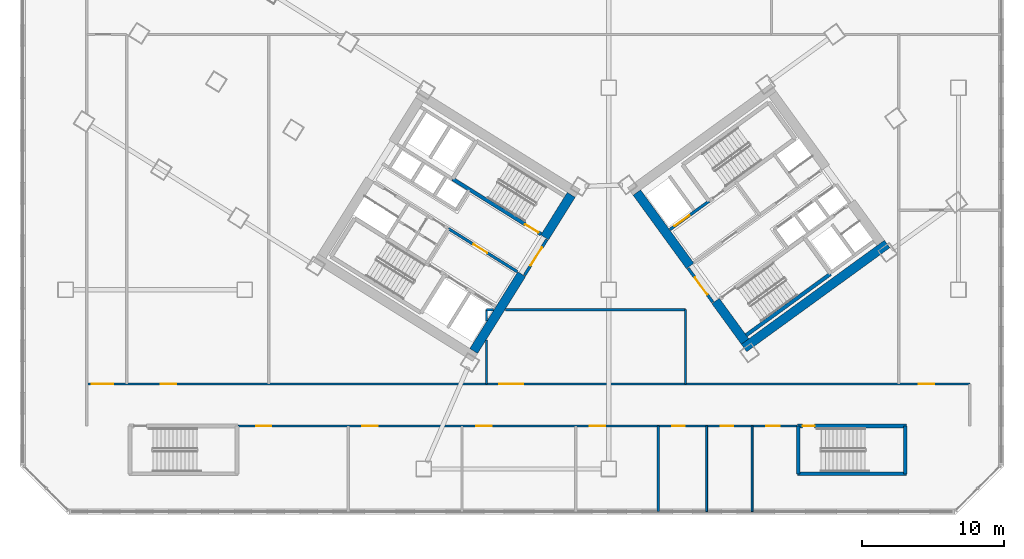
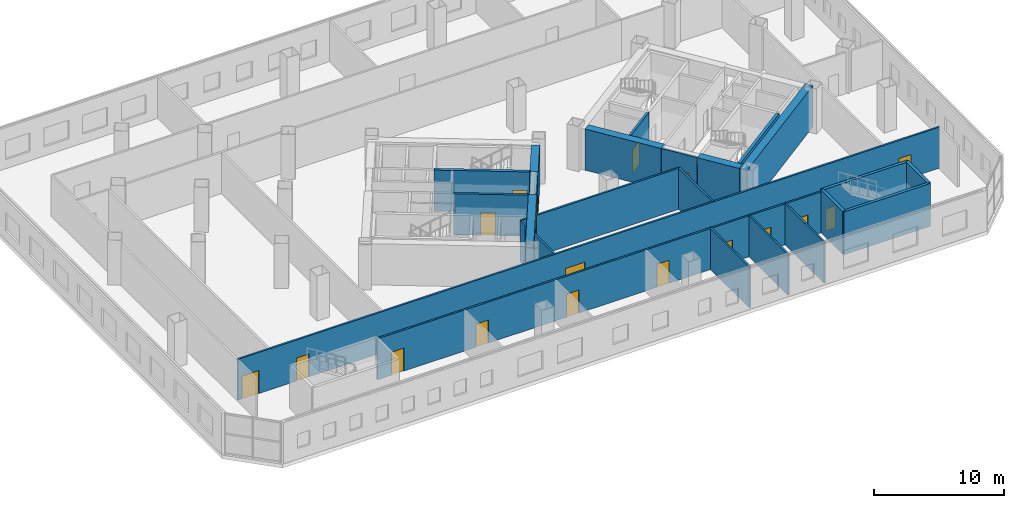
# One storey, part 12 of 22: 25 walls, 17 doors, 17 openings.
"""IFC4 building model written with IfcOpenShell, lengths in metres."""

from ifc_helpers import new_model, si_unit, direction, frame, frame_2d, origin, place, context, subcontext, project, spatial, rectangle, extrude, source, transform, mapped, material, layer, layer_set, type_object, element, fill, save


model = new_model("IFC4")

# Units and contexts
model_context = context("Model", 3, precision=1e-05, world=origin(), true_north=direction((0.0, 1.0)))
body_context = subcontext(model_context, "Body", "Model", "MODEL_VIEW")
ifc_project = project(units=[si_unit("LENGTHUNIT", "METRE"), si_unit("AREAUNIT", "SQUARE_METRE"), si_unit("VOLUMEUNIT", "CUBIC_METRE"), si_unit("PLANEANGLEUNIT", "RADIAN"), si_unit("MASSUNIT", "GRAM", prefix="KILO")], contexts=[model_context])

# Site, building, storey
site_placement = place(None, origin())
site = spatial("IfcSite", under=ifc_project, at=site_placement, CompositionType="ELEMENT")
building_placement = place(site_placement, origin())
building = spatial("IfcBuilding", under=site, at=building_placement, Name="Tlacorven Tower", CompositionType="ELEMENT")
storey_placement = place(building_placement, frame((0.0, 0.0, 10.199951171875)))
storey = spatial("IfcBuildingStorey", under=building, at=storey_placement, Name="L02", CompositionType="ELEMENT", Elevation=10.199951171875)

# Walls
ifc_material_1 = material(Name="Concrete C60/75", Category="concrete")
ifc_layer_1 = layer(ifc_material_1, 0.64990234375)
ifc_layer_set_1 = layer_set([ifc_layer_1], Name="Concrete C60/75")
wall_type_1 = type_object("IfcWallType", Name="WL-COR-650", PredefinedType="SHEAR", material=ifc_layer_set_1)
wall_1_placement = place(storey_placement, frame((40.167724609375, 23.880126953125, 0.0), z_axis=(0.0, 0.0, 1.0), x_axis=(-0.529893103397, -0.8480644427, 0.0)))
element("IfcWall", 1, at=wall_1_placement, inside=storey, type_object=wall_type_1, Name="L02 W core end wall E1.1", PredefinedType="SHEAR", context=body_context, shape_type="SweptSolid", body=[
    extrude(rectangle(XDim=3.525146484375, YDim=0.64990234375, at=frame_2d((1.7626953125, 0.0))), origin(), (0.0, 0.0, 1.0), 3.85009765625),
])
wall_2_placement = place(storey_placement, frame((36.683349609375, 18.30419921875, 0.0), z_axis=(0.0, 0.0, 1.0), x_axis=(-0.529899109053, -0.848060690178, 0.0)))
element("IfcWall", 2, at=wall_2_placement, inside=storey, type_object=wall_type_1, Name="L02 W core end wall E1.2", PredefinedType="SHEAR", context=body_context, shape_type="SweptSolid", body=[
    extrude(rectangle(XDim=6.375244140625, YDim=0.64990234375, at=frame_2d((3.1875, 0.0))), origin(), (0.0, 0.0, 1.0), 3.85009765625),
])
wall_3_placement = place(storey_placement, frame((52.318359375, 13.1103515625, 0.0), z_axis=(0.0, 0.0, 1.0), x_axis=(0.809019445368, 0.587781878776, 0.0)))
element("IfcWall", 3, at=wall_3_placement, inside=storey, type_object=wall_type_1, Name="L02 E core shear wall S1", PredefinedType="SHEAR", context=body_context, shape_type="SweptSolid", body=[
    extrude(rectangle(XDim=12.43994140625, YDim=0.64990234375, at=frame_2d((6.219970703125, 0.0))), origin(), (0.0, 0.0, 1.0), 3.85009765625),
])
wall_4_placement = place(storey_placement, frame((52.390380859375, 13.564208984375, 0.0), z_axis=(0.0, 0.0, 1.0), x_axis=(-0.58779688989, 0.809008539037, 0.0)))
element("IfcWall", 4, at=wall_4_placement, inside=storey, type_object=wall_type_1, Name="L02 E core end wall E1.1", PredefinedType="SHEAR", context=body_context, shape_type="SweptSolid", body=[
    extrude(rectangle(XDim=3.525146484375, YDim=0.64990234375, at=frame_2d((1.7626953125, 0.0))), origin(), (0.0, 0.0, 1.0), 3.85009765625),
])
wall_5_placement = place(storey_placement, frame((48.525634765625, 18.883544921875, 0.0), z_axis=(0.0, 0.0, 1.0), x_axis=(-0.58777996584, 0.809020835181, 0.0)))
element("IfcWall", 5, at=wall_5_placement, inside=storey, type_object=wall_type_1, Name="L02 E core end wall E1.2", PredefinedType="SHEAR", context=body_context, shape_type="SweptSolid", body=[
    extrude(rectangle(XDim=6.375, YDim=0.64990234375, at=frame_2d((3.1875, 0.0))), origin(), (0.0, 0.0, 1.0), 3.85009765625),
])

# Wall, openings, doors
ifc_material_2 = material(Name="Gypsum plasterboard acoustic partition", Category="gypsum")
ifc_layer_2 = layer(ifc_material_2, 0.159912109375)
ifc_layer_set_2 = layer_set([ifc_layer_2], Name="Gypsum plasterboard acoustic partition")
wall_type_2 = type_object("IfcWallType", Name="WL-DEM-160", PredefinedType="PARTITIONING", material=ifc_layer_set_2)
wall_6_placement = place(storey_placement, frame((6.10009765625, 10.580078125, 0.0), z_axis=(0.0, 0.0, 1.0), x_axis=(1.0, 0.0, 0.0)))
wall_6 = element("IfcWall", 6, at=wall_6_placement, inside=storey, type_object=wall_type_2, Name="L02 partition 64", PredefinedType="PARTITIONING", context=body_context, shape_type="SweptSolid", body=[
    extrude(rectangle(XDim=62.099853515625, YDim=0.159912109375, at=frame_2d((31.0498046875, 0.0))), origin(), (0.0, 0.0, 1.0), 3.840087890625),
])
opening_1_placement = place(wall_6_placement, frame((29.0, 0.0, 0.0)))
opening_1 = element("IfcOpeningElement", 7, at=opening_1_placement, cuts=wall_6, Name="Opening D17", PredefinedType="OPENING", context=body_context, shape_type="SweptSolid", body=[
    extrude(rectangle(XDim=1.699951171875, YDim=2.199951171875, at=frame_2d((0.85009765625, 1.10009765625))), frame((0.0, 0.08984375, 0.0), z_axis=(0.0, -1.0, 0.0), x_axis=(1.0, 0.0, 0.0)), (0.0, 0.0, 1.0), 0.179931640625),
])
opening_2_placement = place(wall_6_placement, frame((0.35009765625, 0.0, 0.0)))
opening_2 = element("IfcOpeningElement", 8, at=opening_2_placement, cuts=wall_6, Name="Opening D10", PredefinedType="OPENING", context=body_context, shape_type="SweptSolid", body=[
    extrude(rectangle(XDim=1.5, YDim=2.14990234375, at=frame_2d((0.75, 1.074951171875))), frame((0.0, 0.08984375, 0.0), z_axis=(0.0, -1.0, 0.0), x_axis=(1.0, 0.0, 0.0)), (0.0, 0.0, 1.0), 0.179931640625),
])
opening_3_placement = place(wall_6_placement, frame((5.199951171875, 0.0, 0.0)))
opening_3 = element("IfcOpeningElement", 9, at=opening_3_placement, cuts=wall_6, Name="Opening D15", PredefinedType="OPENING", context=body_context, shape_type="SweptSolid", body=[
    extrude(rectangle(XDim=1.080078125, YDim=2.14990234375, at=frame_2d((0.5400390625, 1.074951171875))), frame((0.0, 0.08984375, 0.0), z_axis=(0.0, -1.0, 0.0), x_axis=(1.0, 0.0, 0.0)), (0.0, 0.0, 1.0), 0.179931640625),
])
opening_4_placement = place(wall_6_placement, frame((58.5, 0.0, 0.0)))
opening_4 = element("IfcOpeningElement", 10, at=opening_4_placement, cuts=wall_6, Name="Opening D15", PredefinedType="OPENING", context=body_context, shape_type="SweptSolid", body=[
    extrude(rectangle(XDim=1.080078125, YDim=2.14990234375, at=frame_2d((0.5400390625, 1.074951171875))), frame((0.0, 0.08984375, 0.0), z_axis=(0.0, -1.0, 0.0), x_axis=(1.0, 0.0, 0.0)), (0.0, 0.0, 1.0), 0.179931640625),
])
ifc_material_3 = material(Name="Fire-rated steel door assembly", Category="steel")
door_type_1 = type_object("IfcDoorType", Name="DR-LOB-FD60-1500", OperationType="DOUBLE_DOOR_SINGLE_SWING", PredefinedType="DOOR", material=ifc_material_3)
shared_shape_1 = source(origin(), body_context, "Body", "SweptSolid", [
    extrude(rectangle(XDim=1.5, YDim=2.14990234375, at=frame_2d((0.75, 1.074951171875))), frame((0.0, 0.02490234375, 0.0), z_axis=(0.0, -1.0, 0.0), x_axis=(1.0, 0.0, 0.0)), (0.0, 0.0, 1.0), 0.050048828125),
])
door_1_placement = place(opening_2_placement, origin())
door_1 = element("IfcDoor", 11, at=door_1_placement, inside=storey, type_object=door_type_1, Name="L02 door 033", OperationType="DOUBLE_DOOR_SINGLE_SWING", OverallHeight=2.14990234375, OverallWidth=1.5, PredefinedType="DOOR", context=body_context, shape_type="MappedRepresentation", body=[
    mapped(shared_shape_1, transform((0.0, 0.0, 0.0), scale=1.0)),
])
fill(opening_2, door_1)
door_type_2 = type_object("IfcDoorType", Name="DR-COM-HALL-1700", OperationType="DOUBLE_DOOR_SINGLE_SWING", PredefinedType="DOOR", material=ifc_material_3)
shared_shape_2 = source(origin(), body_context, "Body", "SweptSolid", [
    extrude(rectangle(XDim=1.699951171875, YDim=2.199951171875, at=frame_2d((0.85009765625, 1.10009765625))), frame((0.0, 0.02490234375, 0.0), z_axis=(0.0, -1.0, 0.0), x_axis=(1.0, 0.0, 0.0)), (0.0, 0.0, 1.0), 0.050048828125),
])
door_2_placement = place(opening_1_placement, origin())
door_2 = element("IfcDoor", 12, at=door_2_placement, inside=storey, type_object=door_type_2, Name="L02 door 023", OperationType="DOUBLE_DOOR_SINGLE_SWING", OverallHeight=2.199951171875, OverallWidth=1.699951171875, PredefinedType="DOOR", context=body_context, shape_type="MappedRepresentation", body=[
    mapped(shared_shape_2, transform((0.0, 0.0, 0.0), scale=1.0)),
])
fill(opening_1, door_2)
door_type_3 = type_object("IfcDoorType", Name="DR-CLN-CONS-1080", OperationType="NOTDEFINED", PredefinedType="DOOR", material=ifc_material_3)
shared_shape_3 = source(origin(), body_context, "Body", "SweptSolid", [
    extrude(rectangle(XDim=1.080078125, YDim=2.14990234375, at=frame_2d((0.5400390625, 1.074951171875))), frame((0.0, 0.02490234375, 0.0), z_axis=(0.0, -1.0, 0.0), x_axis=(1.0, 0.0, 0.0)), (0.0, 0.0, 1.0), 0.050048828125),
])
door_3_placement = place(opening_3_placement, origin())
door_3 = element("IfcDoor", 13, at=door_3_placement, inside=storey, type_object=door_type_3, Name="L02 door 039", OperationType="SINGLE_SWING_RIGHT", OverallHeight=2.14990234375, OverallWidth=1.080078125, PredefinedType="DOOR", context=body_context, shape_type="MappedRepresentation", body=[
    mapped(shared_shape_3, transform((0.0, 0.0, 0.0), scale=1.0)),
])
fill(opening_3, door_3)
door_4_placement = place(opening_4_placement, origin())
door_4 = element("IfcDoor", 14, at=door_4_placement, inside=storey, type_object=door_type_3, Name="L02 door 040", OperationType="SINGLE_SWING_LEFT", OverallHeight=2.14990234375, OverallWidth=1.080078125, PredefinedType="DOOR", context=body_context, shape_type="MappedRepresentation", body=[
    mapped(shared_shape_3, transform((0.0, 0.0, 0.0), scale=1.0)),
])
fill(opening_4, door_4)

wall_7_placement = place(storey_placement, frame((16.739990234375, 7.6201171875, 0.0), z_axis=(0.0, 0.0, 1.0), x_axis=(1.0, 0.0, 0.0)))
wall_7 = element("IfcWall", 15, at=wall_7_placement, inside=storey, type_object=wall_type_2, Name="L02 partition 65", PredefinedType="PARTITIONING", context=body_context, shape_type="SweptSolid", body=[
    extrude(rectangle(XDim=39.320068359375, YDim=0.159912109375, at=frame_2d((19.66015625, 0.0))), origin(), (0.0, 0.0, 1.0), 3.840087890625),
])
opening_5_placement = place(wall_7_placement, frame((1.260009765625, 0.0, 0.0)))
opening_5 = element("IfcOpeningElement", 16, at=opening_5_placement, cuts=wall_7, Name="Opening D15", PredefinedType="OPENING", context=body_context, shape_type="SweptSolid", body=[
    extrude(rectangle(XDim=1.080078125, YDim=2.14990234375, at=frame_2d((0.5400390625, 1.074951171875))), frame((0.0, 0.08984375, 0.0), z_axis=(0.0, -1.0, 0.0), x_axis=(1.0, 0.0, 0.0)), (0.0, 0.0, 1.0), 0.179931640625),
])
opening_6_placement = place(wall_7_placement, frame((8.739990234375, 0.0, 0.0)))
opening_6 = element("IfcOpeningElement", 17, at=opening_6_placement, cuts=wall_7, Name="Opening D15", PredefinedType="OPENING", context=body_context, shape_type="SweptSolid", body=[
    extrude(rectangle(XDim=1.080078125, YDim=2.14990234375, at=frame_2d((0.5400390625, 1.074951171875))), frame((0.0, 0.08984375, 0.0), z_axis=(0.0, -1.0, 0.0), x_axis=(1.0, 0.0, 0.0)), (0.0, 0.0, 1.0), 0.179931640625),
])
opening_7_placement = place(wall_7_placement, frame((16.739990234375, 0.0, 0.0)))
opening_7 = element("IfcOpeningElement", 18, at=opening_7_placement, cuts=wall_7, Name="Opening D15", PredefinedType="OPENING", context=body_context, shape_type="SweptSolid", body=[
    extrude(rectangle(XDim=1.080078125, YDim=2.14990234375, at=frame_2d((0.5400390625, 1.074951171875))), frame((0.0, 0.08984375, 0.0), z_axis=(0.0, -1.0, 0.0), x_axis=(1.0, 0.0, 0.0)), (0.0, 0.0, 1.0), 0.179931640625),
])
opening_8_placement = place(wall_7_placement, frame((24.739990234375, 0.0, 0.0)))
opening_8 = element("IfcOpeningElement", 19, at=opening_8_placement, cuts=wall_7, Name="Opening D15", PredefinedType="OPENING", context=body_context, shape_type="SweptSolid", body=[
    extrude(rectangle(XDim=1.080078125, YDim=2.14990234375, at=frame_2d((0.5400390625, 1.074951171875))), frame((0.0, 0.08984375, 0.0), z_axis=(0.0, -1.0, 0.0), x_axis=(1.0, 0.0, 0.0)), (0.0, 0.0, 1.0), 0.179931640625),
])
opening_9_placement = place(wall_7_placement, frame((30.5400390625, 0.0, 0.0)))
opening_9 = element("IfcOpeningElement", 20, at=opening_9_placement, cuts=wall_7, Name="Opening D13", PredefinedType="OPENING", context=body_context, shape_type="SweptSolid", body=[
    extrude(rectangle(XDim=0.8798828125, YDim=2.080078125, at=frame_2d((0.43994140625, 1.0400390625))), frame((0.0, 0.08984375, 0.0), z_axis=(0.0, -1.0, 0.0), x_axis=(1.0, 0.0, 0.0)), (0.0, 0.0, 1.0), 0.179931640625),
])
opening_10_placement = place(wall_7_placement, frame((33.93994140625, 0.0, 0.0)))
opening_10 = element("IfcOpeningElement", 21, at=opening_10_placement, cuts=wall_7, Name="Opening D13", PredefinedType="OPENING", context=body_context, shape_type="SweptSolid", body=[
    extrude(rectangle(XDim=0.8798828125, YDim=2.080078125, at=frame_2d((0.43994140625, 1.0400390625))), frame((0.0, 0.08984375, 0.0), z_axis=(0.0, -1.0, 0.0), x_axis=(1.0, 0.0, 0.0)), (0.0, 0.0, 1.0), 0.179931640625),
])
opening_11_placement = place(wall_7_placement, frame((37.139892578125, 0.0, 0.0)))
opening_11 = element("IfcOpeningElement", 22, at=opening_11_placement, cuts=wall_7, Name="Opening D14", PredefinedType="OPENING", context=body_context, shape_type="SweptSolid", body=[
    extrude(rectangle(XDim=0.9599609375, YDim=2.080078125, at=frame_2d((0.47998046875, 1.0400390625))), frame((0.0, 0.08984375, 0.0), z_axis=(0.0, -1.0, 0.0), x_axis=(1.0, 0.0, 0.0)), (0.0, 0.0, 1.0), 0.179931640625),
])
ifc_material_4 = material(Name="Powder-coated aluminium and timber door", Category="wood")
door_type_4 = type_object("IfcDoorType", Name="DR-INT-WET-0880", OperationType="NOTDEFINED", PredefinedType="DOOR", material=ifc_material_4)
shared_shape_4 = source(origin(), body_context, "Body", "SweptSolid", [
    extrude(rectangle(XDim=0.8798828125, YDim=2.080078125, at=frame_2d((0.43994140625, 1.0400390625))), frame((0.0, 0.02490234375, 0.0), z_axis=(0.0, -1.0, 0.0), x_axis=(1.0, 0.0, 0.0)), (0.0, 0.0, 1.0), 0.050048828125),
])
door_5_placement = place(opening_9_placement, frame((0.8798828125, 0.0, 0.0), z_axis=(0.0, 0.0, 1.0), x_axis=(-1.0, 0.0, 0.0)))
door_5 = element("IfcDoor", 23, at=door_5_placement, inside=storey, type_object=door_type_4, Name="L02 door 030", OperationType="SINGLE_SWING_RIGHT", OverallHeight=2.080078125, OverallWidth=0.8798828125, PredefinedType="DOOR", context=body_context, shape_type="MappedRepresentation", body=[
    mapped(shared_shape_4, transform((0.0, 0.0, 0.0), scale=1.0)),
])
fill(opening_9, door_5)
door_6_placement = place(opening_10_placement, frame((0.8798828125, 0.0, 0.0), z_axis=(0.0, 0.0, 1.0), x_axis=(-1.0, 0.0, 0.0)))
door_6 = element("IfcDoor", 24, at=door_6_placement, inside=storey, type_object=door_type_4, Name="L02 door 031", OperationType="SINGLE_SWING_LEFT", OverallHeight=2.080078125, OverallWidth=0.8798828125, PredefinedType="DOOR", context=body_context, shape_type="MappedRepresentation", body=[
    mapped(shared_shape_4, transform((0.0, 0.0, 0.0), scale=1.0)),
])
fill(opening_10, door_6)
door_type_5 = type_object("IfcDoorType", Name="DR-INT-AWC-0960", OperationType="NOTDEFINED", PredefinedType="DOOR", material=ifc_material_4)
shared_shape_5 = source(origin(), body_context, "Body", "SweptSolid", [
    extrude(rectangle(XDim=0.9599609375, YDim=2.080078125, at=frame_2d((0.47998046875, 1.0400390625))), frame((0.0, 0.02490234375, 0.0), z_axis=(0.0, -1.0, 0.0), x_axis=(1.0, 0.0, 0.0)), (0.0, 0.0, 1.0), 0.050048828125),
])
door_7_placement = place(opening_11_placement, frame((0.9599609375, 0.0, 0.0), z_axis=(0.0, 0.0, 1.0), x_axis=(-1.0, 0.0, 0.0)))
door_7 = element("IfcDoor", 25, at=door_7_placement, inside=storey, type_object=door_type_5, Name="L02 door 032", OperationType="SINGLE_SWING_RIGHT", OverallHeight=2.080078125, OverallWidth=0.9599609375, PredefinedType="DOOR", context=body_context, shape_type="MappedRepresentation", body=[
    mapped(shared_shape_5, transform((0.0, 0.0, 0.0), scale=1.0)),
])
fill(opening_11, door_7)
door_8_placement = place(opening_5_placement, frame((1.080078125, 0.0, 0.0), z_axis=(0.0, 0.0, 1.0), x_axis=(-1.0, 0.0, 0.0)))
door_8 = element("IfcDoor", 26, at=door_8_placement, inside=storey, type_object=door_type_3, Name="L02 door 026", OperationType="SINGLE_SWING_RIGHT", OverallHeight=2.14990234375, OverallWidth=1.080078125, PredefinedType="DOOR", context=body_context, shape_type="MappedRepresentation", body=[
    mapped(shared_shape_3, transform((0.0, 0.0, 0.0), scale=1.0)),
])
fill(opening_5, door_8)
door_9_placement = place(opening_6_placement, frame((1.080078125, 0.0, 0.0), z_axis=(0.0, 0.0, 1.0), x_axis=(-1.0, 0.0, 0.0)))
door_9 = element("IfcDoor", 27, at=door_9_placement, inside=storey, type_object=door_type_3, Name="L02 door 027", OperationType="SINGLE_SWING_LEFT", OverallHeight=2.14990234375, OverallWidth=1.080078125, PredefinedType="DOOR", context=body_context, shape_type="MappedRepresentation", body=[
    mapped(shared_shape_3, transform((0.0, 0.0, 0.0), scale=1.0)),
])
fill(opening_6, door_9)
door_10_placement = place(opening_7_placement, frame((1.080078125, 0.0, 0.0), z_axis=(0.0, 0.0, 1.0), x_axis=(-1.0, 0.0, 0.0)))
door_10 = element("IfcDoor", 28, at=door_10_placement, inside=storey, type_object=door_type_3, Name="L02 door 028", OperationType="SINGLE_SWING_RIGHT", OverallHeight=2.14990234375, OverallWidth=1.080078125, PredefinedType="DOOR", context=body_context, shape_type="MappedRepresentation", body=[
    mapped(shared_shape_3, transform((0.0, 0.0, 0.0), scale=1.0)),
])
fill(opening_7, door_10)
door_11_placement = place(opening_8_placement, frame((1.080078125, 0.0, 0.0), z_axis=(0.0, 0.0, 1.0), x_axis=(-1.0, 0.0, 0.0)))
door_11 = element("IfcDoor", 29, at=door_11_placement, inside=storey, type_object=door_type_3, Name="L02 door 029", OperationType="SINGLE_SWING_LEFT", OverallHeight=2.14990234375, OverallWidth=1.080078125, PredefinedType="DOOR", context=body_context, shape_type="MappedRepresentation", body=[
    mapped(shared_shape_3, transform((0.0, 0.0, 0.0), scale=1.0)),
])
fill(opening_8, door_11)

# Walls
wall_8_placement = place(storey_placement, frame((34.199951171875, 10.580078125, 0.0), z_axis=(0.0, 0.0, 1.0), x_axis=(0.0, 1.0, 0.0)))
element("IfcWall", 30, at=wall_8_placement, inside=storey, type_object=wall_type_2, Name="L02 partition 66", PredefinedType="PARTITIONING", context=body_context, shape_type="SweptSolid", body=[
    extrude(rectangle(XDim=3.08544921875, YDim=0.159912109375, at=frame_2d((1.542724609375, 0.0))), origin(), (0.0, 0.0, 1.0), 3.840087890625),
])
wall_9_placement = place(storey_placement, frame((34.199951171875, 14.993896484375, 0.0), z_axis=(0.0, 0.0, 1.0), x_axis=(0.0, 1.0, 0.0)))
element("IfcWall", 31, at=wall_9_placement, inside=storey, type_object=wall_type_2, Name="L02 partition 66", PredefinedType="PARTITIONING", context=body_context, shape_type="SweptSolid", body=[
    extrude(rectangle(XDim=0.80615234375, YDim=0.159912109375, at=frame_2d((0.403076171875, 0.0))), origin(), (0.0, 0.0, 1.0), 3.840087890625),
])
wall_10_placement = place(storey_placement, frame((48.199951171875, 10.580078125, 0.0), z_axis=(0.0, 0.0, 1.0), x_axis=(0.0, 1.0, 0.0)))
element("IfcWall", 32, at=wall_10_placement, inside=storey, type_object=wall_type_2, Name="L02 partition 67", PredefinedType="PARTITIONING", context=body_context, shape_type="SweptSolid", body=[
    extrude(rectangle(XDim=5.219970703125, YDim=0.159912109375, at=frame_2d((2.60986328125, 0.0))), origin(), (0.0, 0.0, 1.0), 3.840087890625),
])
wall_11_placement = place(storey_placement, frame((34.199951171875, 15.800048828125, 0.0), z_axis=(0.0, 0.0, 1.0), x_axis=(1.0, 0.0, 0.0)))
element("IfcWall", 33, at=wall_11_placement, inside=storey, type_object=wall_type_2, Name="L02 partition 68", PredefinedType="PARTITIONING", context=body_context, shape_type="SweptSolid", body=[
    extrude(rectangle(XDim=0.503662109375, YDim=0.159912109375, at=frame_2d((0.251953125, 0.0))), origin(), (0.0, 0.0, 1.0), 3.840087890625),
])
wall_12_placement = place(storey_placement, frame((35.53369140625, 15.800048828125, 0.0), z_axis=(0.0, 0.0, 1.0), x_axis=(1.0, 0.0, 0.0)))
element("IfcWall", 34, at=wall_12_placement, inside=storey, type_object=wall_type_2, Name="L02 partition 68", PredefinedType="PARTITIONING", context=body_context, shape_type="SweptSolid", body=[
    extrude(rectangle(XDim=12.666259765625, YDim=0.159912109375, at=frame_2d((6.3330078125, 0.0))), origin(), (0.0, 0.0, 1.0), 3.840087890625),
])
wall_13_placement = place(storey_placement, frame((46.2900390625, 1.60009765625, 0.0), z_axis=(0.0, 0.0, 1.0), x_axis=(0.0, 1.0, 0.0)))
element("IfcWall", 35, at=wall_13_placement, inside=storey, type_object=wall_type_2, Name="L02 partition 72", PredefinedType="PARTITIONING", context=body_context, shape_type="SweptSolid", body=[
    extrude(rectangle(XDim=6.02001953125, YDim=0.159912109375, at=frame_2d((3.010009765625, 0.0))), origin(), (0.0, 0.0, 1.0), 3.840087890625),
])
ifc_material_5 = material(Name="Moisture-resistant gypsum plumbing wall", Category="gypsum")
ifc_layer_3 = layer(ifc_material_5, 0.139892578125)
ifc_layer_set_3 = layer_set([ifc_layer_3], Name="Moisture-resistant gypsum plumbing wall")
wall_type_3 = type_object("IfcWallType", Name="WL-PLM-140", PredefinedType="PLUMBINGWALL", material=ifc_layer_set_3)
for number, where, z_axis, x_axis, name in (
    (36, (49.68994140625, 1.60009765625, 0.0), (0.0, 0.0, 1.0), (0.0, 1.0, 0.0), "L02 partition 73"),
    (37, (52.889892578125, 1.60009765625, 0.0), (0.0, 0.0, 1.0), (0.0, 1.0, 0.0), "L02 partition 74"),
):
    element("IfcWall", number, at=place(storey_placement, frame(where, z_axis=z_axis, x_axis=x_axis)), inside=storey, type_object=wall_type_3, Name=name, PredefinedType="PLUMBINGWALL", context=body_context, shape_type="SweptSolid", body=[
        extrude(rectangle(XDim=6.02001953125, YDim=0.139892578125, at=frame_2d((3.010009765625, 0.0))), origin(), (0.0, 0.0, 1.0), 3.840087890625),
    ])

# Wall, opening, door
ifc_material_6 = material(Name="Concrete C40/50", Category="concrete")
ifc_layer_4 = layer(ifc_material_6, 0.199951171875)
ifc_layer_set_4 = layer_set([ifc_layer_4], Name="Concrete C40/50")
wall_type_4 = type_object("IfcWallType", Name="WL-SHF-200", PredefinedType="STANDARD", material=ifc_layer_set_4)
wall_14_placement = place(storey_placement, frame((36.374267578125, 18.4736328125, 0.0), z_axis=(0.0, 0.0, 1.0), x_axis=(-0.848051071577, 0.529914502535, 0.0)))
wall_14 = element("IfcWall", 38, at=wall_14_placement, inside=storey, type_object=wall_type_4, Name="L02 Core W Smoke Lobby Wall", PredefinedType="STANDARD", context=body_context, shape_type="SweptSolid", body=[
    extrude(rectangle(XDim=5.718017578125, YDim=0.199951171875, at=frame_2d((2.85888671875, 0.0))), origin(), (0.0, 0.0, 1.0), 3.840087890625),
])
opening_12_placement = place(wall_14_placement, frame((2.498046875, 0.0, 0.0)))
opening_12 = element("IfcOpeningElement", 39, at=opening_12_placement, cuts=wall_14, Name="Opening D09", PredefinedType="OPENING", context=body_context, shape_type="SweptSolid", body=[
    extrude(rectangle(XDim=1.14990234375, YDim=2.10009765625, at=frame_2d((0.574951171875, 1.050048828125))), frame((0.0, 0.10986328125, 0.0), z_axis=(0.0, -1.0, 0.0), x_axis=(1.0, 0.0, 0.0)), (0.0, 0.0, 1.0), 0.219970703125),
])
door_type_6 = type_object("IfcDoorType", Name="DR-FFL-FD60-1150", OperationType="NOTDEFINED", PredefinedType="DOOR", material=ifc_material_3)
shared_shape_6 = source(origin(), body_context, "Body", "SweptSolid", [
    extrude(rectangle(XDim=1.14990234375, YDim=2.10009765625, at=frame_2d((0.574951171875, 1.050048828125))), frame((0.0, 0.02490234375, 0.0), z_axis=(0.0, -1.0, 0.0), x_axis=(1.0, 0.0, 0.0)), (0.0, 0.0, 1.0), 0.050048828125),
])
door_12_placement = place(opening_12_placement, origin())
door_12 = element("IfcDoor", 40, at=door_12_placement, inside=storey, type_object=door_type_6, Name="L02 Firefighting Lobby W Fire Door", OperationType="SINGLE_SWING_RIGHT", OverallHeight=2.10009765625, OverallWidth=1.14990234375, PredefinedType="DOOR", context=body_context, shape_type="MappedRepresentation", body=[
    mapped(shared_shape_6, transform((0.0, 0.0, 0.0), scale=1.0)),
])
fill(opening_12, door_12)

wall_15_placement = place(storey_placement, frame((47.10595703125, 21.4365234375, 0.0), z_axis=(0.0, 0.0, 1.0), x_axis=(0.809012514015, 0.58779141893, 0.0)))
wall_15 = element("IfcWall", 41, at=wall_15_placement, inside=storey, type_object=wall_type_4, Name="L02 Core E Firefighting Lift Shaft Front Wall", PredefinedType="STANDARD", context=body_context, shape_type="SweptSolid", body=[
    extrude(rectangle(XDim=3.39794921875, YDim=0.199951171875, at=frame_2d((1.698974609375, 0.0))), origin(), (0.0, 0.0, 1.0), 3.840087890625),
])
opening_13_placement = place(wall_15_placement, frame((0.407958984375, 0.0, 0.0)))
opening_13 = element("IfcOpeningElement", 42, at=opening_13_placement, cuts=wall_15, Name="Opening LD03", PredefinedType="OPENING", context=body_context, shape_type="SweptSolid", body=[
    extrude(rectangle(XDim=1.300048828125, YDim=2.199951171875, at=frame_2d((0.64990234375, 1.10009765625))), frame((0.0, 0.10986328125, 0.0), z_axis=(0.0, -1.0, 0.0), x_axis=(1.0, 0.0, 0.0)), (0.0, 0.0, 1.0), 0.219970703125),
])
door_type_7 = type_object("IfcDoorType", Name="DR-LFT-SLID-1300", OperationType="DOUBLE_DOOR_SLIDING", PredefinedType="DOOR", material=ifc_material_3)
shared_shape_7 = source(origin(), body_context, "Body", "SweptSolid", [
    extrude(rectangle(XDim=1.300048828125, YDim=2.199951171875, at=frame_2d((0.64990234375, 1.10009765625))), frame((0.0, 0.02490234375, 0.0), z_axis=(0.0, -1.0, 0.0), x_axis=(1.0, 0.0, 0.0)), (0.0, 0.0, 1.0), 0.050048828125),
])
door_13_placement = place(opening_13_placement, origin())
door_13 = element("IfcDoor", 43, at=door_13_placement, inside=storey, type_object=door_type_7, Name="L02 Lift FFL-E1 Sliding Landing Door", OperationType="DOUBLE_DOOR_SLIDING", OverallHeight=2.199951171875, OverallWidth=1.300048828125, PredefinedType="DOOR", context=body_context, shape_type="MappedRepresentation", body=[
    mapped(shared_shape_7, transform((0.0, 0.0, 0.0), scale=1.0)),
])
fill(opening_13, door_13)

wall_16_placement = place(storey_placement, frame((38.451416015625, 20.737060546875, 0.0), z_axis=(0.0, 0.0, 1.0), x_axis=(-0.529924799939, -0.848044637038, 0.0)))
wall_16 = element("IfcWall", 44, at=wall_16_placement, inside=storey, type_object=wall_type_4, Name="L02 partition 62", PredefinedType="STANDARD", context=body_context, shape_type="SweptSolid", body=[
    extrude(rectangle(XDim=2.9599609375, YDim=0.199951171875, at=frame_2d((1.47998046875, 0.0))), origin(), (0.0, 0.0, 1.0), 3.840087890625),
])
opening_14_placement = place(wall_16_placement, frame((0.64990234375, 0.0, 0.0)))
opening_14 = element("IfcOpeningElement", 45, at=opening_14_placement, cuts=wall_16, Name="Opening D10", PredefinedType="OPENING", context=body_context, shape_type="SweptSolid", body=[
    extrude(rectangle(XDim=1.5, YDim=2.14990234375, at=frame_2d((0.75, 1.074951171875))), frame((0.0, 0.10986328125, 0.0), z_axis=(0.0, -1.0, 0.0), x_axis=(1.0, 0.0, 0.0)), (0.0, 0.0, 1.0), 0.219970703125),
])
door_14_placement = place(opening_14_placement, frame((1.5, 0.0, 0.0), z_axis=(0.0, 0.0, 1.0), x_axis=(-1.0, 0.0, 0.0)))
door_14 = element("IfcDoor", 46, at=door_14_placement, inside=storey, type_object=door_type_1, Name="L02 door 024", OperationType="DOUBLE_DOOR_SINGLE_SWING", OverallHeight=2.14990234375, OverallWidth=1.5, PredefinedType="DOOR", context=body_context, shape_type="MappedRepresentation", body=[
    mapped(shared_shape_1, transform((0.0, 0.0, 0.0), scale=1.0)),
])
fill(opening_14, door_14)

wall_17_placement = place(storey_placement, frame((50.119140625, 16.3330078125, 0.0), z_axis=(0.0, 0.0, 1.0), x_axis=(-0.587749856981, 0.809042709391, 0.0)))
wall_17 = element("IfcWall", 47, at=wall_17_placement, inside=storey, type_object=wall_type_4, Name="L02 partition 63", PredefinedType="STANDARD", context=body_context, shape_type="SweptSolid", body=[
    extrude(rectangle(XDim=2.9599609375, YDim=0.199951171875, at=frame_2d((1.47998046875, 0.0))), origin(), (0.0, 0.0, 1.0), 3.840087890625),
])
opening_15_placement = place(wall_17_placement, frame((0.64990234375, 0.0, 0.0)))
opening_15 = element("IfcOpeningElement", 48, at=opening_15_placement, cuts=wall_17, Name="Opening D10", PredefinedType="OPENING", context=body_context, shape_type="SweptSolid", body=[
    extrude(rectangle(XDim=1.5, YDim=2.14990234375, at=frame_2d((0.75, 1.074951171875))), frame((0.0, 0.10986328125, 0.0), z_axis=(0.0, -1.0, 0.0), x_axis=(1.0, 0.0, 0.0)), (0.0, 0.0, 1.0), 0.219970703125),
])
door_15_placement = place(opening_15_placement, frame((1.5, 0.0, 0.0), z_axis=(0.0, 0.0, 1.0), x_axis=(-1.0, 0.0, 0.0)))
door_15 = element("IfcDoor", 49, at=door_15_placement, inside=storey, type_object=door_type_1, Name="L02 door 025", OperationType="DOUBLE_DOOR_SINGLE_SWING", OverallHeight=2.14990234375, OverallWidth=1.5, PredefinedType="DOOR", context=body_context, shape_type="MappedRepresentation", body=[
    mapped(shared_shape_1, transform((0.0, 0.0, 0.0), scale=1.0)),
])
fill(opening_15, door_15)

ifc_material_7 = material(Name="Concrete C50/60", Category="concrete")
ifc_layer_5 = layer(ifc_material_7, 0.260009765625)
ifc_layer_set_5 = layer_set([ifc_layer_5], Name="Concrete C50/60")
wall_type_5 = type_object("IfcWallType", Name="WL-STW-260", PredefinedType="SHEAR", material=ifc_layer_set_5)
wall_18_placement = place(storey_placement, frame((38.04638671875, 21.10791015625, 0.0), z_axis=(0.0, 0.0, 1.0), x_axis=(-0.848054434086, 0.529909121291, 0.0)))
wall_18 = element("IfcWall", 50, at=wall_18_placement, inside=storey, type_object=wall_type_5, Name="L02 Stair W2 Lobby Shear Wall", PredefinedType="SHEAR", context=body_context, shape_type="SweptSolid", body=[
    extrude(rectangle(XDim=7.330078125, YDim=0.260009765625, at=frame_2d((3.6650390625, 0.0))), origin(), (0.0, 0.0, 1.0), 3.85009765625),
])
opening_16_placement = place(wall_18_placement, frame((0.219970703125, 0.0, 0.0)))
opening_16 = element("IfcOpeningElement", 51, at=opening_16_placement, cuts=wall_18, Name="Opening D07", PredefinedType="OPENING", context=body_context, shape_type="SweptSolid", body=[
    extrude(rectangle(XDim=1.10009765625, YDim=2.10009765625, at=frame_2d((0.550048828125, 1.050048828125))), frame((0.0, 0.14013671875, 0.0), z_axis=(0.0, -1.0, 0.0), x_axis=(1.0, 0.0, 0.0)), (0.0, 0.0, 1.0), 0.280029296875),
])
door_type_8 = type_object("IfcDoorType", Name="DR-STR-FD90-1100", OperationType="NOTDEFINED", PredefinedType="DOOR", material=ifc_material_3)
shared_shape_8 = source(origin(), body_context, "Body", "SweptSolid", [
    extrude(rectangle(XDim=1.10009765625, YDim=2.10009765625, at=frame_2d((0.550048828125, 1.050048828125))), frame((0.0, 0.02490234375, 0.0), z_axis=(0.0, -1.0, 0.0), x_axis=(1.0, 0.0, 0.0)), (0.0, 0.0, 1.0), 0.050048828125),
])
door_16_placement = place(opening_16_placement, origin())
door_16 = element("IfcDoor", 52, at=door_16_placement, inside=storey, type_object=door_type_8, Name="L02 Exit Stair W2 Fire Door", OperationType="SINGLE_SWING_LEFT", OverallHeight=2.10009765625, OverallWidth=1.10009765625, PredefinedType="DOOR", context=body_context, shape_type="MappedRepresentation", body=[
    mapped(shared_shape_8, transform((0.0, 0.0, 0.0), scale=1.0)),
])
fill(opening_16, door_16)

# Wall
wall_19_placement = place(storey_placement, frame((52.47216796875, 14.01318359375, 0.0), z_axis=(0.0, 0.0, 1.0), x_axis=(0.809028366311, 0.587769599847, 0.0)))
element("IfcWall", 53, at=wall_19_placement, inside=storey, type_object=wall_type_5, Name="L02 Stair E2 Far Shear Wall", PredefinedType="SHEAR", context=body_context, shape_type="SweptSolid", body=[
    extrude(rectangle(XDim=7.330078125, YDim=0.260009765625, at=frame_2d((3.6650390625, 0.0))), origin(), (0.0, 0.0, 1.0), 3.85009765625),
])

# Wall, opening, door
wall_20_placement = place(storey_placement, frame((56.070068359375, 7.6201171875, 0.0), z_axis=(0.0, 0.0, 1.0), x_axis=(1.0, 0.0, 0.0)))
wall_20 = element("IfcWall", 54, at=wall_20_placement, inside=storey, type_object=wall_type_5, Name="L02 Stair P2 North Wall", PredefinedType="SHEAR", context=body_context, shape_type="SweptSolid", body=[
    extrude(rectangle(XDim=7.659912109375, YDim=0.260009765625, at=frame_2d((3.830078125, 0.0))), origin(), (0.0, 0.0, 1.0), 4.0),
])
opening_17_placement = place(wall_20_placement, frame((0.360107421875, 0.0, 0.0)))
opening_17 = element("IfcOpeningElement", 55, at=opening_17_placement, cuts=wall_20, Name="Opening D19", PredefinedType="OPENING", context=body_context, shape_type="SweptSolid", body=[
    extrude(rectangle(XDim=0.860107421875, YDim=2.050048828125, at=frame_2d((0.43017578125, 1.02490234375))), frame((0.0, 0.14013671875, 0.0), z_axis=(0.0, -1.0, 0.0), x_axis=(1.0, 0.0, 0.0)), (0.0, 0.0, 1.0), 0.280029296875),
])
door_type_9 = type_object("IfcDoorType", Name="DR-RSR-FD60-0860", OperationType="NOTDEFINED", PredefinedType="DOOR", material=ifc_material_3)
shared_shape_9 = source(origin(), body_context, "Body", "SweptSolid", [
    extrude(rectangle(XDim=0.860107421875, YDim=2.050048828125, at=frame_2d((0.43017578125, 1.02490234375))), frame((0.0, 0.02490234375, 0.0), z_axis=(0.0, -1.0, 0.0), x_axis=(1.0, 0.0, 0.0)), (0.0, 0.0, 1.0), 0.050048828125),
])
door_17_placement = place(opening_17_placement, origin())
door_17 = element("IfcDoor", 56, at=door_17_placement, inside=storey, type_object=door_type_9, Name="L02 door 022", OperationType="SINGLE_SWING_LEFT", OverallHeight=2.050048828125, OverallWidth=0.860107421875, PredefinedType="DOOR", context=body_context, shape_type="MappedRepresentation", body=[
    mapped(shared_shape_9, transform((0.0, 0.0, 0.0), scale=1.0)),
])
fill(opening_17, door_17)

# Walls
wall_21_placement = place(storey_placement, frame((56.070068359375, 4.260009765625, 0.0), z_axis=(0.0, 0.0, 1.0), x_axis=(1.0, 0.0, 0.0)))
element("IfcWall", 57, at=wall_21_placement, inside=storey, type_object=wall_type_5, Name="L02 Stair P2 South Wall", PredefinedType="SHEAR", context=body_context, shape_type="SweptSolid", body=[
    extrude(rectangle(XDim=7.659912109375, YDim=0.260009765625, at=frame_2d((3.830078125, 0.0))), origin(), (0.0, 0.0, 1.0), 4.0),
])
for number, where, z_axis, x_axis, name in (
    (58, (56.139892578125, 4.260009765625, 0.0), (0.0, 0.0, 1.0), (0.0, 1.0, 0.0), "L02 Stair P2 West Wall"),
    (59, (63.659912109375, 4.260009765625, 0.0), (0.0, 0.0, 1.0), (0.0, 1.0, 0.0), "L02 Stair P2 East Wall"),
):
    element("IfcWall", number, at=place(storey_placement, frame(where, z_axis=z_axis, x_axis=x_axis)), inside=storey, type_object=wall_type_5, Name=name, PredefinedType="SHEAR", context=body_context, shape_type="SweptSolid", body=[
        extrude(rectangle(XDim=3.360107421875, YDim=0.260009765625, at=frame_2d((1.68017578125, 0.0))), origin(), (0.0, 0.0, 1.0), 4.0),
    ])

save(model, "model.ifc")
